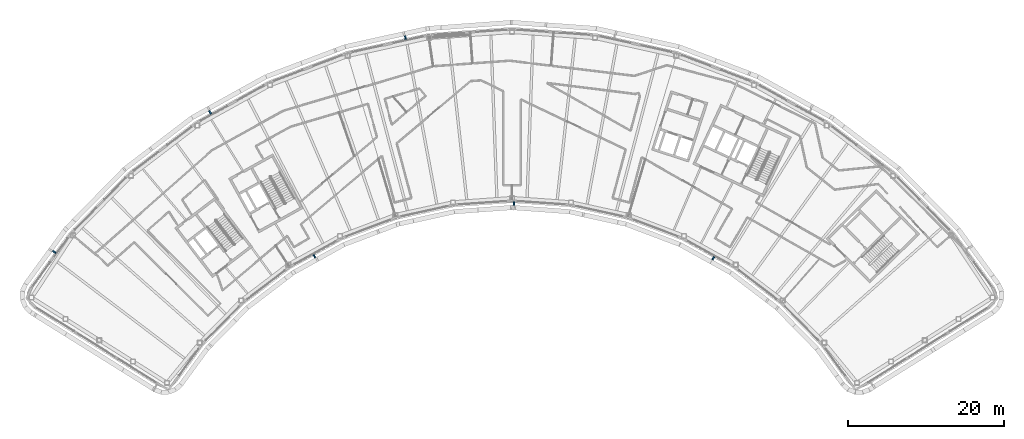
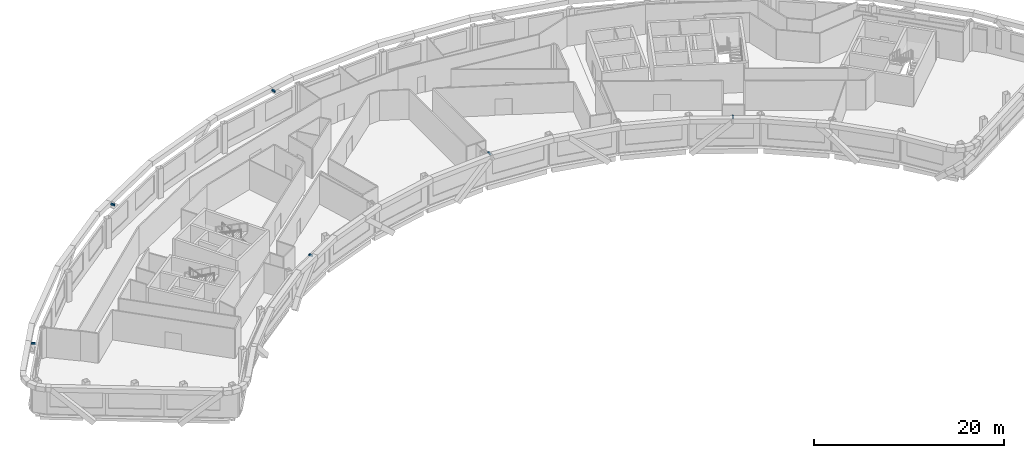
# One storey, part 12 of 17: 6 discrete accessories.
"""IFC4 building model written with IfcOpenShell, lengths in metres."""

from ifc_helpers import new_model, si_unit, direction, frame, origin, origin_2d, place, context, subcontext, project, spatial, rectangle, extrude, material, type_object, element, save


model = new_model("IFC4")

# Units and contexts
model_context = context("Model", 3, precision=1e-05, world=origin(), true_north=direction((0.0, 1.0)))
body_context = subcontext(model_context, "Body", "Model", "MODEL_VIEW")
ifc_project = project(units=[si_unit("LENGTHUNIT", "METRE"), si_unit("AREAUNIT", "SQUARE_METRE"), si_unit("VOLUMEUNIT", "CUBIC_METRE"), si_unit("PLANEANGLEUNIT", "RADIAN"), si_unit("MASSUNIT", "GRAM", prefix="KILO")], contexts=[model_context])

# Site, building, storey
site_placement = place(None, origin())
site = spatial("IfcSite", under=ifc_project, at=site_placement, CompositionType="ELEMENT")
building_placement = place(site_placement, origin())
building = spatial("IfcBuilding", under=site, at=building_placement, Name="Tuul Gate Civic Tower", CompositionType="ELEMENT")
storey_placement = place(building_placement, frame((0.0, 0.0, 344.89990234375)))
storey = spatial("IfcBuildingStorey", under=building, at=storey_placement, Name="Level 78", CompositionType="ELEMENT", Elevation=344.89990234375)

# Discrete accessories
ifc_material = material(Name="Stainless steel", Category="steel")
discrete_accessory_type = type_object("IfcDiscreteAccessoryType", Name="Screen bracket", PredefinedType="BRACKET", material=ifc_material)
discrete_accessory_1_placement = place(storey_placement, frame((-11.489990234375, 13.079345703125, 3.75), z_axis=(0.0, 0.0, 1.0), x_axis=(-0.183856994745, 0.982953002683, 0.0)))
element("IfcDiscreteAccessory", 1, at=discrete_accessory_1_placement, inside=storey, type_object=discrete_accessory_type, Name="Screen bracket 11", PredefinedType="BRACKET", context=body_context, shape_type="SweptSolid", body=[
    extrude(rectangle(XDim=0.4501953125, YDim=0.199951171875, at=origin_2d()), origin(), (0.0, 0.0, 1.0), 0.199951171875),
])
discrete_accessory_2_placement = place(storey_placement, frame((-36.574462890625, 3.483642578125, 3.75), z_axis=(0.0, 0.0, 1.0), x_axis=(-0.520742945255, 0.853713526288, 0.0)))
element("IfcDiscreteAccessory", 2, at=discrete_accessory_2_placement, inside=storey, type_object=discrete_accessory_type, Name="Screen bracket 14", PredefinedType="BRACKET", context=body_context, shape_type="SweptSolid", body=[
    extrude(rectangle(XDim=0.450439453125, YDim=0.199951171875, at=origin_2d()), origin(), (0.0, 0.0, 1.0), 0.199951171875),
])
for number, where, z_axis, x_axis, name in (
    (3, (-56.576171875, -14.4248046875, 3.75), (0.0, 0.0, 1.0), (-0.802893433111, 0.596122583927, 0.0), "Screen bracket 17"),
    (4, (-23.179443359375, -14.98828125, 3.75), (0.0, 0.0, 1.0), (0.490458166846, -0.871464736277, 0.0), "Screen bracket 23"),
):
    element("IfcDiscreteAccessory", number, at=place(storey_placement, frame(where, z_axis=z_axis, x_axis=x_axis)), inside=storey, type_object=discrete_accessory_type, Name=name, PredefinedType="BRACKET", context=body_context, shape_type="SweptSolid", body=[
        extrude(rectangle(XDim=0.449951171875, YDim=0.199951171875, at=origin_2d()), origin(), (0.0, 0.0, 1.0), 0.199951171875),
    ])
discrete_accessory_3_placement = place(storey_placement, frame((2.45654296875, -8.223876953125, 3.75), z_axis=(0.0, 0.0, 1.0), x_axis=(-0.005105065887, -0.999986969066, 0.0)))
element("IfcDiscreteAccessory", 5, at=discrete_accessory_3_placement, inside=storey, type_object=discrete_accessory_type, Name="Screen bracket 26", PredefinedType="BRACKET", context=body_context, shape_type="SweptSolid", body=[
    extrude(rectangle(XDim=0.450927734375, YDim=0.199951171875, at=origin_2d()), origin(), (0.0, 0.0, 1.0), 0.199951171875),
])
discrete_accessory_4_placement = place(storey_placement, frame((28.027587890625, -15.24560546875, 3.75), z_axis=(0.0, 0.0, 1.0), x_axis=(-0.499372596618, -0.866387332402, 0.0)))
element("IfcDiscreteAccessory", 6, at=discrete_accessory_4_placement, inside=storey, type_object=discrete_accessory_type, Name="Screen bracket 29", PredefinedType="BRACKET", context=body_context, shape_type="SweptSolid", body=[
    extrude(rectangle(XDim=0.4501953125, YDim=0.199951171875, at=origin_2d()), origin(), (0.0, 0.0, 1.0), 0.199951171875),
])

save(model, "model.ifc")
